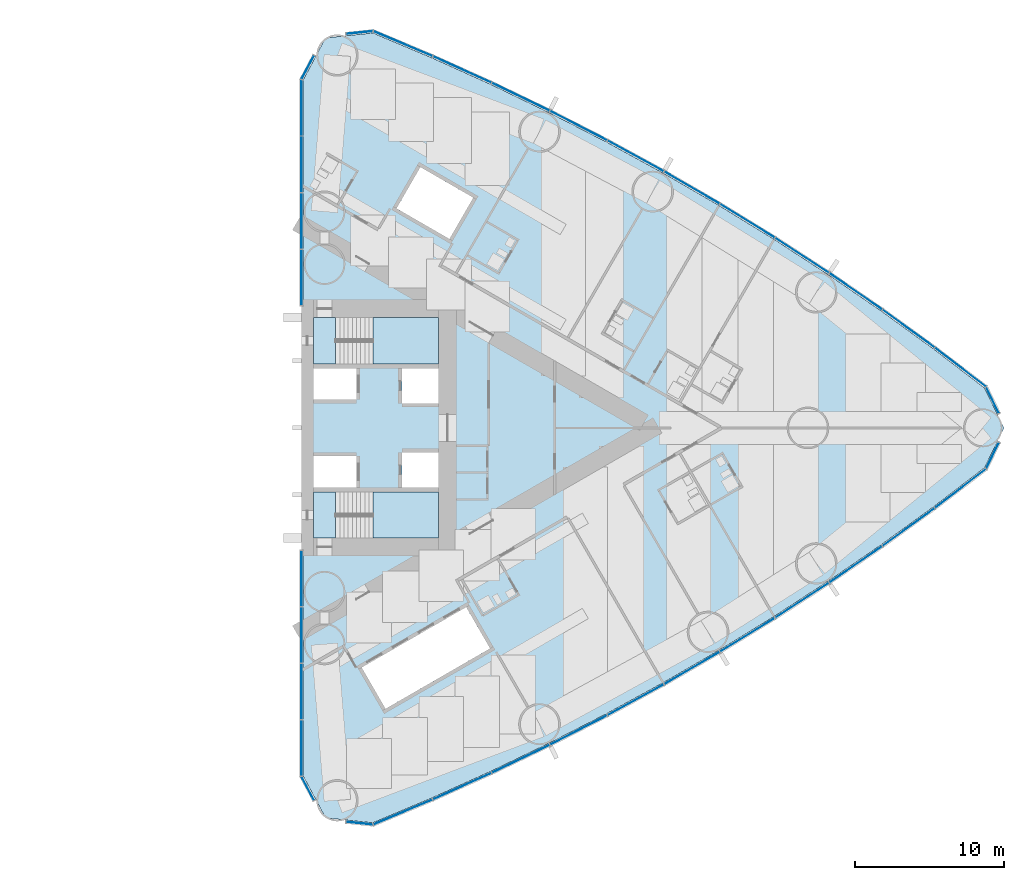
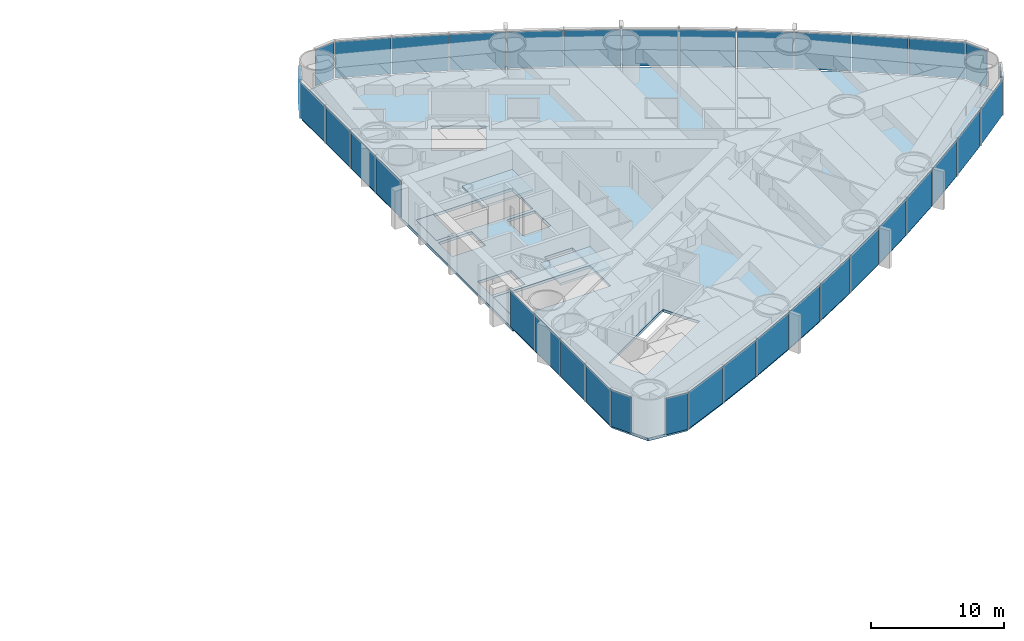
# One storey, part 10 of 19: 36 plates, 5 slabs, 6 elements without a shape of their own.
"""IFC4 building model written with IfcOpenShell, lengths in metres."""

import ifcopenshell
import ifcopenshell.guid

model = None  # the IFC model being written
_history = None  # IfcOwnerHistory: only IFC2X3 demands one
_inside = {}  # id of a spatial element -> (the spatial element, [elements in it])
_under = {}  # id of a project, library or spatial element -> (it, [spatial elements below it])
_declared = {}  # id of a project -> (the project, [libraries it declares])
_typed = {}  # id of a type object -> (the type object, [elements of that type])
_made_of = {}  # id of a material, layer set ... -> (it, [elements and type objects made of it])


def new_model(schema):
    """Start an empty IFC model of exactly this schema.

    Asked for "IFC4X3", IfcOpenShell would pick the latest addendum, in which some entities
    have other attributes; the version numbers below select the first issue.
    IFC2X3 requires an IfcOwnerHistory on every rooted entity: one is made here for all.
    """
    global model, _history
    if schema == "IFC4X3":
        model = ifcopenshell.file(schema_version=(4, 3, 0, 0))
    else:
        model = ifcopenshell.file(schema=schema)
    _inside.clear()
    _under.clear()
    _declared.clear()
    _typed.clear()
    _made_of.clear()
    _history = None
    if model.schema == "IFC2X3":
        org = make("IfcOrganization", Name="unknown")
        user = make(
            "IfcPersonAndOrganization",
            ThePerson=make("IfcPerson", FamilyName="unknown"),
            TheOrganization=org,
        )
        app = make(
            "IfcApplication",
            ApplicationDeveloper=org,
            Version="unknown",
            ApplicationFullName="unknown",
            ApplicationIdentifier="unknown",
        )
        _history = make(
            "IfcOwnerHistory",
            OwningUser=user,
            OwningApplication=app,
            ChangeAction="ADDED",
            CreationDate=0,
        )
    return model


def make(cls, **values):
    """One entity of the class cls with the attributes given. An attribute that is None is left unset."""
    return model.create_entity(
        cls, **{name: value for name, value in values.items() if value is not None}
    )


def rooted(cls, **values):
    """An entity with a GlobalId (a new one), such as an element, a storey or a relation."""
    return make(cls, GlobalId=ifcopenshell.guid.new(), OwnerHistory=_history, **values)


def si_unit(unit_type, name, prefix=None):
    """IfcSIUnit, for example si_unit("LENGTHUNIT", "METRE", prefix="MILLI")."""
    return make("IfcSIUnit", UnitType=unit_type, Prefix=prefix, Name=name)


def assignment(units):
    """IfcUnitAssignment: the units of a project."""
    return None if units is None else make("IfcUnitAssignment", Units=units)


def point(xyz):
    """IfcCartesianPoint."""
    return None if xyz is None else make("IfcCartesianPoint", Coordinates=xyz)


def direction(xyz):
    """IfcDirection."""
    return None if xyz is None else make("IfcDirection", DirectionRatios=xyz)


def frame(location, z_axis=None, x_axis=None):
    """IfcAxis2Placement3D, a coordinate frame: its origin and axes. An axis left out is left unset."""
    return make(
        "IfcAxis2Placement3D",
        Location=point(location),
        Axis=direction(z_axis),
        RefDirection=direction(x_axis),
    )


def frame_2d(location, x_axis=None):
    """IfcAxis2Placement2D, a coordinate frame in the plane: its origin and x axis."""
    return make(
        "IfcAxis2Placement2D", Location=point(location), RefDirection=direction(x_axis)
    )


def origin():
    """The frame at (0, 0, 0) with its axes left unset."""
    return frame((0.0, 0.0, 0.0))


def origin_2d():
    """The frame at (0, 0) in the plane with its x axis left unset."""
    return frame_2d((0.0, 0.0))


def place(relative_to, where):
    """IfcLocalPlacement: puts the frame where relative to a parent placement (None: the world)."""
    return make(
        "IfcLocalPlacement", PlacementRelTo=relative_to, RelativePlacement=where
    )


def context(
    kind, dimensions, precision=None, world=None, true_north=None, identifier=None
):
    """IfcGeometricRepresentationContext, for example the 3D "Model" context."""
    return make(
        "IfcGeometricRepresentationContext",
        ContextIdentifier=identifier,
        ContextType=kind,
        CoordinateSpaceDimension=dimensions,
        Precision=precision,
        WorldCoordinateSystem=world,
        TrueNorth=true_north,
    )


def subcontext(parent, identifier, kind, view, scale=None):
    """IfcGeometricRepresentationSubContext, for example "Body" below "Model"."""
    return make(
        "IfcGeometricRepresentationSubContext",
        ContextIdentifier=identifier,
        ContextType=kind,
        ParentContext=parent,
        TargetScale=scale,
        TargetView=view,
    )


def project(units=None, contexts=None):
    """IfcProject with its units and contexts."""
    return rooted(
        "IfcProject",
        Name="project",
        RepresentationContexts=contexts,
        UnitsInContext=assignment(units),
    )


def spatial(cls, under=None, at=None, **own):
    """A site, building, storey or space (cls), placed at a placement, below another one or the project."""
    s = rooted(cls, ObjectPlacement=at, **own)
    if under is not None:
        _under.setdefault(under.id(), (under, []))[1].append(s)
    return s


def polyline(points):
    """IfcPolyline through the points."""
    return make("IfcPolyline", Points=[point(p) for p in points])


def profile(cls, at=None, kind="AREA", **sizes):
    """A parametric profile (cls). Its sizes go by their IFC names, for example OverallWidth=200.0."""
    return make(cls, ProfileType=kind, Position=at, **sizes)


def rectangle(**sizes):
    """IfcRectangleProfileDef."""
    return profile("IfcRectangleProfileDef", **sizes)


def outline(outer, holes=None, kind="AREA"):
    """IfcArbitraryClosedProfileDef: a profile drawn as a closed curve; with holes, ...WithVoids."""
    if holes is None:
        return make("IfcArbitraryClosedProfileDef", ProfileType=kind, OuterCurve=outer)
    return make(
        "IfcArbitraryProfileDefWithVoids",
        ProfileType=kind,
        OuterCurve=outer,
        InnerCurves=holes,
    )


def extrude(swept, where, along, depth):
    """IfcExtrudedAreaSolid: the profile swept, set in the frame where, extruded along a direction by depth."""
    return make(
        "IfcExtrudedAreaSolid",
        SweptArea=swept,
        Position=where,
        ExtrudedDirection=direction(along),
        Depth=depth,
    )


def shape(context_of_items, identifier, shape_type, items):
    """IfcShapeRepresentation: the items that make up one representation, for example the "Body"."""
    return make(
        "IfcShapeRepresentation",
        ContextOfItems=context_of_items,
        RepresentationIdentifier=identifier,
        RepresentationType=shape_type,
        Items=items,
    )


def material(Name=None, Category=None):
    """IfcMaterial."""
    return make("IfcMaterial", Name=Name, Category=Category)


def layer(
    of_material, thickness, ventilated=None, Name=None, Category=None, Priority=None
):
    """IfcMaterialLayer: one layer of a wall or slab, of a material (None: an air gap)."""
    return make(
        "IfcMaterialLayer",
        Material=of_material,
        LayerThickness=thickness,
        IsVentilated=ventilated,
        Name=Name,
        Category=Category,
        Priority=Priority,
    )


def layer_set(layers, Name=None):
    """IfcMaterialLayerSet."""
    return make("IfcMaterialLayerSet", MaterialLayers=layers, LayerSetName=Name)


def made_of(thing, what):
    """Note that an element or type object is made of a material, layer set ...; save() writes the relation."""
    if what is not None:
        _made_of.setdefault(what.id(), (what, []))[1].append(thing)
    return thing


def type_object(cls, material=None, **own):
    """A type object (cls), such as IfcWallType, which elements share."""
    return made_of(rooted(cls, **own), material)


def element(
    cls,
    number,
    at=None,
    inside=None,
    cuts=None,
    type_object=None,
    material=None,
    context=None,
    identifier="Body",
    shape_type=None,
    held_by="IfcProductDefinitionShape",
    body=None,
    shapes=None,
    **own,
):
    """One element of the class cls, such as IfcWall. Its Tag is "e" and its number.

    at: its placement. inside: the storey or other place that contains it. cuts: it is an
    opening in that element (IfcRelVoidsElement). A single representation is given by context,
    identifier, shape_type and body (its items); several are given by shapes. held_by: the class
    of the entity that holds the representations. save() writes the other relations.
    """
    e = rooted(cls, Tag="e%d" % number, ObjectPlacement=at, **own)
    if body is not None:
        shapes = [shape(context, identifier, shape_type, body)]
    if shapes is not None:
        e.Representation = make(held_by, Representations=shapes)
    if inside is not None:
        _inside.setdefault(inside.id(), (inside, []))[1].append(e)
    if cuts is not None:
        rooted(
            "IfcRelVoidsElement", RelatingBuildingElement=cuts, RelatedOpeningElement=e
        )
    if type_object is not None:
        _typed.setdefault(type_object.id(), (type_object, []))[1].append(e)
    return made_of(e, material)


def aggregate(whole, parts):
    """IfcRelAggregates: a whole, such as a stair, and the parts it consists of."""
    return rooted("IfcRelAggregates", RelatingObject=whole, RelatedObjects=parts)


def save(model, path):
    """Write the relations noted so far, then the file.

    IfcRelAggregates (storeys below a building ...), IfcRelContainedInSpatialStructure (elements
    in a storey), IfcRelDefinesByType, IfcRelAssociatesMaterial and IfcRelDeclares: one each for
    every whole, place, type object, material and project.
    """
    for whole, parts in _under.values():
        aggregate(whole, parts)
    for where, things in _inside.values():
        rooted(
            "IfcRelContainedInSpatialStructure",
            RelatedElements=things,
            RelatingStructure=where,
        )
    for kind, things in _typed.values():
        rooted("IfcRelDefinesByType", RelatedObjects=things, RelatingType=kind)
    for what, things in _made_of.values():
        rooted("IfcRelAssociatesMaterial", RelatedObjects=things, RelatingMaterial=what)
    for by, libraries in _declared.values():
        rooted("IfcRelDeclares", RelatingContext=by, RelatedDefinitions=libraries)
    model.write(path)


model = new_model("IFC4")

# Units and contexts
model_context = context("Model", 3, precision=1e-05, world=origin(), true_north=direction((0.0, 1.0)))
body_context = subcontext(model_context, "Body", "Model", "MODEL_VIEW")
ifc_project = project(units=[si_unit("LENGTHUNIT", "METRE"), si_unit("AREAUNIT", "SQUARE_METRE"), si_unit("VOLUMEUNIT", "CUBIC_METRE"), si_unit("PLANEANGLEUNIT", "RADIAN"), si_unit("MASSUNIT", "GRAM", prefix="KILO")], contexts=[model_context])

# Site, building, storey
site_placement = place(None, origin())
site = spatial("IfcSite", under=ifc_project, at=site_placement, CompositionType="ELEMENT")
building_placement = place(site_placement, origin())
building = spatial("IfcBuilding", under=site, at=building_placement, Name="Lancet Gate Hotel", CompositionType="ELEMENT")
storey_placement = place(building_placement, frame((0.0, 0.0, 18.0)))
storey = spatial("IfcBuildingStorey", under=building, at=storey_placement, Name="L03", CompositionType="ELEMENT", Elevation=18.0)

# Slab
ifc_material_1 = material(Name="Concrete C50/60", Category="concrete")
ifc_layer_1 = layer(ifc_material_1, 0.25)
ifc_layer_set_1 = layer_set([ifc_layer_1], Name="Floor slab 250")
slab_type_1 = type_object("IfcSlabType", Name="Floor slab 250", PredefinedType="FLOOR", material=ifc_layer_set_1)
slab_1_placement = place(storey_placement, frame((0.0, 0.0, -0.25)))
element("IfcSlab", 1, at=slab_1_placement, inside=storey, type_object=slab_type_1, Name="T2 L03 floor slab", PredefinedType="FLOOR", context=body_context, shape_type="SweptSolid", body=[
    extrude(outline(polyline([(27.5, -8.60009765625), (27.6201171875, -8.60009765625), (27.6201171875, -23.35498046875), (29.12158203125, -26.175537109375), (32.299072265625, -26.5048828125), (36.26708984375, -24.833740234375), (40.2177734375, -23.050048828125), (44.121826171875, -21.16650390625), (47.9765625, -19.18408203125), (51.77978515625, -17.104248046875), (55.528564453125, -14.92822265625), (59.220947265625, -12.657470703125), (62.854248046875, -10.29345703125), (66.42626953125, -7.837890625), (69.934814453125, -5.292236328125), (73.355712890625, -2.67431640625), (74.65576171875, 0.0), (73.355712890625, 2.67431640625), (69.934814453125, 5.292236328125), (66.42626953125, 7.837890625), (62.854248046875, 10.29345703125), (59.220947265625, 12.657470703125), (55.528564453125, 14.92822265625), (51.77978515625, 17.104248046875), (47.9765625, 19.18408203125), (44.121826171875, 21.16650390625), (40.2177734375, 23.050048828125), (36.26708984375, 24.833740234375), (32.299072265625, 26.5048828125), (29.12158203125, 26.175537109375), (27.6201171875, 23.35498046875), (27.6201171875, 8.60009765625), (27.5, 8.60009765625), (27.5, 8.199951171875), (27.5, -8.199951171875), (27.5, -8.60009765625)]), holes=[polyline([(36.699951171875, -7.39990234375), (36.699951171875, -4.300048828125), (28.300048828125, -4.300048828125), (28.300048828125, -7.39990234375), (36.699951171875, -7.39990234375)]), polyline([(28.300048828125, -4.0), (31.199951171875, -4.0), (31.199951171875, -1.89990234375), (28.300048828125, -1.89990234375), (28.300048828125, -4.0)]), polyline([(34.25, -4.0), (36.699951171875, -4.0), (36.699951171875, -1.64990234375), (34.25, -1.64990234375), (34.25, -4.0)]), polyline([(36.699951171875, 1.64990234375), (36.699951171875, 4.0), (34.25, 4.0), (34.25, 1.64990234375), (36.699951171875, 1.64990234375)]), polyline([(28.300048828125, 1.89990234375), (31.199951171875, 1.89990234375), (31.199951171875, 4.0), (28.300048828125, 4.0), (28.300048828125, 1.89990234375)]), polyline([(28.300048828125, 4.300048828125), (36.699951171875, 4.300048828125), (36.699951171875, 7.39990234375), (28.300048828125, 7.39990234375), (28.300048828125, 4.300048828125)]), polyline([(31.549072265625, -16.0810546875), (33.14892578125, -18.85205078125), (40.1640625, -14.802001953125), (38.56396484375, -12.031005859375), (31.549072265625, -16.0810546875)]), polyline([(33.887939453125, 14.73095703125), (37.43798828125, 12.680908203125), (39.0380859375, 15.451904296875), (35.488037109375, 17.501953125), (33.887939453125, 14.73095703125)])]), origin(), (0.0, 0.0, 1.0), 0.25),
])

# Stair, slabs
ifc_material_2 = material(Name="Exit stair 20 risers 1500")
stair_type = type_object("IfcStairType", Name="Exit stair 20 risers 1500", PredefinedType="HALF_TURN_STAIR", material=ifc_material_2)
stair_1_placement = place(storey_placement, origin())
stair_1 = element("IfcStair", 2, at=stair_1_placement, inside=storey, type_object=stair_type, Name="T2 stair 1 L03", PredefinedType="HALF_TURN_STAIR")
ifc_material_3 = material(Name="Concrete C40/50", Category="concrete")
ifc_layer_2 = layer(ifc_material_3, 0.199951171875)
ifc_layer_set_2 = layer_set([ifc_layer_2], Name="Stair landing 200")
slab_type_2 = type_object("IfcSlabType", Name="Stair landing 200", PredefinedType="LANDING", material=ifc_layer_set_2)
slab_2_placement = place(storey_placement, frame((0.0, 0.0, -0.199951171875)))
slab_2 = element("IfcSlab", 3, at=slab_2_placement, type_object=slab_type_2, Name="ST3 landing 1", PredefinedType="LANDING", context=body_context, shape_type="SweptSolid", body=[
    extrude(outline(polyline([(28.300048828125, -7.39990234375), (29.800048828125, -7.39990234375), (29.800048828125, -4.300048828125), (28.300048828125, -4.300048828125), (28.300048828125, -7.39990234375)])), origin(), (0.0, 0.0, 1.0), 0.199951171875),
])
slab_3_placement = place(storey_placement, frame((0.0, 0.0, 1.550048828125)))
slab_3 = element("IfcSlab", 4, at=slab_3_placement, type_object=slab_type_2, Name="ST3 landing 2", PredefinedType="LANDING", context=body_context, shape_type="SweptSolid", body=[
    extrude(outline(polyline([(32.320068359375, -7.39990234375), (36.699951171875, -7.39990234375), (36.699951171875, -4.300048828125), (32.320068359375, -4.300048828125), (32.320068359375, -7.39990234375)])), origin(), (0.0, 0.0, 1.0), 0.199951171875),
])
aggregate(stair_1, [slab_2, slab_3])

stair_2_placement = place(storey_placement, origin())
stair_2 = element("IfcStair", 5, at=stair_2_placement, inside=storey, type_object=stair_type, Name="T2 stair 2 L03", PredefinedType="HALF_TURN_STAIR")
slab_4_placement = place(storey_placement, frame((0.0, 0.0, -0.199951171875)))
slab_4 = element("IfcSlab", 6, at=slab_4_placement, type_object=slab_type_2, Name="ST4 landing 1", PredefinedType="LANDING", context=body_context, shape_type="SweptSolid", body=[
    extrude(outline(polyline([(28.300048828125, 4.300048828125), (29.800048828125, 4.300048828125), (29.800048828125, 7.39990234375), (28.300048828125, 7.39990234375), (28.300048828125, 4.300048828125)])), origin(), (0.0, 0.0, 1.0), 0.199951171875),
])
slab_5_placement = place(storey_placement, frame((0.0, 0.0, 1.550048828125)))
slab_5 = element("IfcSlab", 7, at=slab_5_placement, type_object=slab_type_2, Name="ST4 landing 2", PredefinedType="LANDING", context=body_context, shape_type="SweptSolid", body=[
    extrude(outline(polyline([(32.320068359375, 4.300048828125), (36.699951171875, 4.300048828125), (36.699951171875, 7.39990234375), (32.320068359375, 7.39990234375), (32.320068359375, 4.300048828125)])), origin(), (0.0, 0.0, 1.0), 0.199951171875),
])
aggregate(stair_2, [slab_4, slab_5])

# Curtain wall, plates
ifc_material_4 = material(Name="Aluminium curtain wall", Category="aluminium")
curtain_wall_type = type_object("IfcCurtainWallType", Name="Tower unitised curtain wall", PredefinedType="USERDEFINED", material=ifc_material_4)
curtain_wall_1_placement = place(storey_placement, origin())
curtain_wall_1 = element("IfcCurtainWall", 8, at=curtain_wall_1_placement, inside=storey, type_object=curtain_wall_type, Name="T2 L03 curtain wall 1", ObjectType="UNITISED CURTAIN WALL", PredefinedType="USERDEFINED")
ifc_material_5 = material(Name="Glass double glazed unit 8-16-6", Category="glass")
ifc_layer_3 = layer(ifc_material_5, 0.030029296875)
ifc_layer_set_3 = layer_set([ifc_layer_3], Name="Vision panel double glazed")
plate_type = type_object("IfcPlateType", Name="Vision panel double glazed", PredefinedType="CURTAIN_PANEL", material=ifc_layer_set_3)
plate_1_placement = place(storey_placement, frame((27.5, -10.09814453125, 0.0), z_axis=(0.0, 0.0, 1.0), x_axis=(0.0, -1.0, 0.0)))
plate_1 = element("IfcPlate", 9, at=plate_1_placement, type_object=plate_type, Name="T2 L03 curtain wall 1 panel 1", PredefinedType="CURTAIN_PANEL", context=body_context, shape_type="SweptSolid", body=[
    extrude(rectangle(XDim=3.731201171875, YDim=0.030029296875, at=origin_2d()), origin(), (0.0, 0.0, 1.0), 3.35009765625),
])
plate_2_placement = place(storey_placement, frame((27.5, -13.894287109375, 0.0), z_axis=(0.0, 0.0, 1.0), x_axis=(0.0, -1.0, 0.0)))
plate_2 = element("IfcPlate", 10, at=plate_2_placement, type_object=plate_type, Name="T2 L03 curtain wall 1 panel 2", PredefinedType="CURTAIN_PANEL", context=body_context, shape_type="SweptSolid", body=[
    extrude(rectangle(XDim=3.731201171875, YDim=0.030029296875, at=origin_2d()), origin(), (0.0, 0.0, 1.0), 3.35009765625),
])
plate_3_placement = place(storey_placement, frame((27.5, -17.6904296875, 0.0), z_axis=(0.0, 0.0, 1.0), x_axis=(0.0, -1.0, 0.0)))
plate_3 = element("IfcPlate", 11, at=plate_3_placement, type_object=plate_type, Name="T2 L03 curtain wall 1 panel 3", PredefinedType="CURTAIN_PANEL", context=body_context, shape_type="SweptSolid", body=[
    extrude(rectangle(XDim=3.731201171875, YDim=0.030029296875, at=origin_2d()), origin(), (0.0, 0.0, 1.0), 3.35009765625),
])
plate_4_placement = place(storey_placement, frame((27.5, -21.48681640625, 0.0), z_axis=(0.0, 0.0, 1.0), x_axis=(0.0, -1.0, 0.0)))
plate_4 = element("IfcPlate", 12, at=plate_4_placement, type_object=plate_type, Name="T2 L03 curtain wall 1 panel 4", PredefinedType="CURTAIN_PANEL", context=body_context, shape_type="SweptSolid", body=[
    extrude(rectangle(XDim=3.731201171875, YDim=0.030029296875, at=origin_2d()), origin(), (0.0, 0.0, 1.0), 3.35009765625),
])
plate_5_placement = place(storey_placement, frame((27.933349609375, -24.19873046875, 0.0), z_axis=(0.0, 0.0, 1.0), x_axis=(0.469897827284, -0.882720811987, 0.0)))
plate_5 = element("IfcPlate", 13, at=plate_5_placement, type_object=plate_type, Name="T2 L03 curtain wall 1 panel 5", PredefinedType="CURTAIN_PANEL", context=body_context, shape_type="SweptSolid", body=[
    extrude(rectangle(XDim=1.779052734375, YDim=0.030029296875, at=origin_2d()), origin(), (0.0, 0.0, 1.0), 3.35009765625),
])
aggregate(curtain_wall_1, [plate_1, plate_2, plate_3, plate_4, plate_5])

curtain_wall_2_placement = place(storey_placement, origin())
curtain_wall_2 = element("IfcCurtainWall", 14, at=curtain_wall_2_placement, inside=storey, type_object=curtain_wall_type, Name="T2 L03 curtain wall 2", ObjectType="UNITISED CURTAIN WALL", PredefinedType="USERDEFINED")
plate_6_placement = place(storey_placement, frame((31.400634765625, -26.532470703125, 0.0), z_axis=(0.0, 0.0, 1.0), x_axis=(0.994672262412, -0.10308778001, 0.0)))
plate_6 = element("IfcPlate", 15, at=plate_6_placement, type_object=plate_type, Name="T2 L03 curtain wall 2 panel 1", PredefinedType="CURTAIN_PANEL", context=body_context, shape_type="SweptSolid", body=[
    extrude(rectangle(XDim=1.7783203125, YDim=0.030029296875, at=origin_2d()), origin(), (0.0, 0.0, 1.0), 3.35009765625),
])
plate_7_placement = place(storey_placement, frame((34.316162109375, -25.78564453125, 0.0), z_axis=(0.0, 0.0, 1.0), x_axis=(0.92159330598, 0.38815689917, 0.0)))
plate_7 = element("IfcPlate", 16, at=plate_7_placement, type_object=plate_type, Name="T2 L03 curtain wall 2 panel 2", PredefinedType="CURTAIN_PANEL", context=body_context, shape_type="SweptSolid", body=[
    extrude(rectangle(XDim=4.272705078125, YDim=0.030029296875, at=origin_2d()), origin(), (0.0, 0.0, 1.0), 3.35009765625),
])
plate_8_placement = place(storey_placement, frame((38.291748046875, -24.05126953125, 0.0), z_axis=(0.0, 0.0, 1.0), x_axis=(0.911415640556, 0.41148697446, 0.0)))
plate_8 = element("IfcPlate", 17, at=plate_8_placement, type_object=plate_type, Name="T2 L03 curtain wall 2 panel 3", PredefinedType="CURTAIN_PANEL", context=body_context, shape_type="SweptSolid", body=[
    extrude(rectangle(XDim=4.272705078125, YDim=0.030029296875, at=origin_2d()), origin(), (0.0, 0.0, 1.0), 3.35009765625),
])
plate_9_placement = place(storey_placement, frame((42.221923828125, -22.21630859375, 0.0), z_axis=(0.0, 0.0, 1.0), x_axis=(0.90064748964, 0.434550456686, 0.0)))
plate_9 = element("IfcPlate", 18, at=plate_9_placement, type_object=plate_type, Name="T2 L03 curtain wall 2 panel 4", PredefinedType="CURTAIN_PANEL", context=body_context, shape_type="SweptSolid", body=[
    extrude(rectangle(XDim=4.272705078125, YDim=0.030029296875, at=origin_2d()), origin(), (0.0, 0.0, 1.0), 3.35009765625),
])
plate_10_placement = place(storey_placement, frame((46.10400390625, -20.281982421875, 0.0), z_axis=(0.0, 0.0, 1.0), x_axis=(0.889295829671, 0.457332403541, 0.0)))
plate_10 = element("IfcPlate", 19, at=plate_10_placement, type_object=plate_type, Name="T2 L03 curtain wall 2 panel 5", PredefinedType="CURTAIN_PANEL", context=body_context, shape_type="SweptSolid", body=[
    extrude(rectangle(XDim=4.272705078125, YDim=0.030029296875, at=origin_2d()), origin(), (0.0, 0.0, 1.0), 3.35009765625),
])
plate_11_placement = place(storey_placement, frame((49.935791015625, -18.249267578125, 0.0), z_axis=(0.0, 0.0, 1.0), x_axis=(0.877368015134, 0.47981805512, 0.0)))
plate_11 = element("IfcPlate", 20, at=plate_11_placement, type_object=plate_type, Name="T2 L03 curtain wall 2 panel 6", PredefinedType="CURTAIN_PANEL", context=body_context, shape_type="SweptSolid", body=[
    extrude(rectangle(XDim=4.272705078125, YDim=0.030029296875, at=origin_2d()), origin(), (0.0, 0.0, 1.0), 3.35009765625),
])
plate_12_placement = place(storey_placement, frame((53.71435546875, -16.119873046875, 0.0), z_axis=(0.0, 0.0, 1.0), x_axis=(0.864871773788, 0.501992843479, 0.0)))
plate_12 = element("IfcPlate", 21, at=plate_12_placement, type_object=plate_type, Name="T2 L03 curtain wall 2 panel 7", PredefinedType="CURTAIN_PANEL", context=body_context, shape_type="SweptSolid", body=[
    extrude(rectangle(XDim=4.272705078125, YDim=0.030029296875, at=origin_2d()), origin(), (0.0, 0.0, 1.0), 3.35009765625),
])
plate_13_placement = place(storey_placement, frame((57.437744140625, -13.89501953125, 0.0), z_axis=(0.0, 0.0, 1.0), x_axis=(0.851815201664, 0.523842402077, 0.0)))
plate_13 = element("IfcPlate", 22, at=plate_13_placement, type_object=plate_type, Name="T2 L03 curtain wall 2 panel 8", PredefinedType="CURTAIN_PANEL", context=body_context, shape_type="SweptSolid", body=[
    extrude(rectangle(XDim=4.272705078125, YDim=0.030029296875, at=origin_2d()), origin(), (0.0, 0.0, 1.0), 3.35009765625),
])
plate_14_placement = place(storey_placement, frame((61.10302734375, -11.576171875, 0.0), z_axis=(0.0, 0.0, 1.0), x_axis=(0.838206757819, 0.54535257508, 0.0)))
plate_14 = element("IfcPlate", 23, at=plate_14_placement, type_object=plate_type, Name="T2 L03 curtain wall 2 panel 9", PredefinedType="CURTAIN_PANEL", context=body_context, shape_type="SweptSolid", body=[
    extrude(rectangle(XDim=4.272705078125, YDim=0.030029296875, at=origin_2d()), origin(), (0.0, 0.0, 1.0), 3.35009765625),
])
plate_15_placement = place(storey_placement, frame((64.708251953125, -9.16455078125, 0.0), z_axis=(0.0, 0.0, 1.0), x_axis=(0.824055258853, 0.566509426538, 0.0)))
plate_15 = element("IfcPlate", 24, at=plate_15_placement, type_object=plate_type, Name="T2 L03 curtain wall 2 panel 10", PredefinedType="CURTAIN_PANEL", context=body_context, shape_type="SweptSolid", body=[
    extrude(rectangle(XDim=4.272705078125, YDim=0.030029296875, at=origin_2d()), origin(), (0.0, 0.0, 1.0), 3.35009765625),
])
plate_16_placement = place(storey_placement, frame((68.2509765625, -6.662109375, 0.0), z_axis=(0.0, 0.0, 1.0), x_axis=(0.809369873203, 0.587299249405, 0.0)))
plate_16 = element("IfcPlate", 25, at=plate_16_placement, type_object=plate_type, Name="T2 L03 curtain wall 2 panel 11", PredefinedType="CURTAIN_PANEL", context=body_context, shape_type="SweptSolid", body=[
    extrude(rectangle(XDim=4.272705078125, YDim=0.030029296875, at=origin_2d()), origin(), (0.0, 0.0, 1.0), 3.35009765625),
])
plate_17_placement = place(storey_placement, frame((71.72900390625, -4.0703125, 0.0), z_axis=(0.0, 0.0, 1.0), x_axis=(0.794160115195, 0.607708574428, 0.0)))
plate_17 = element("IfcPlate", 26, at=plate_17_placement, type_object=plate_type, Name="T2 L03 curtain wall 2 panel 12", PredefinedType="CURTAIN_PANEL", context=body_context, shape_type="SweptSolid", body=[
    extrude(rectangle(XDim=4.272705078125, YDim=0.030029296875, at=origin_2d()), origin(), (0.0, 0.0, 1.0), 3.35009765625),
])
plate_18_placement = place(storey_placement, frame((73.88671875, -1.856201171875, 0.0), z_axis=(0.0, 0.0, 1.0), x_axis=(0.437169070119, 0.899379343843, 0.0)))
plate_18 = element("IfcPlate", 27, at=plate_18_placement, type_object=plate_type, Name="T2 L03 curtain wall 2 panel 13", PredefinedType="CURTAIN_PANEL", context=body_context, shape_type="SweptSolid", body=[
    extrude(rectangle(XDim=1.92724609375, YDim=0.030029296875, at=origin_2d()), origin(), (0.0, 0.0, 1.0), 3.35009765625),
])
aggregate(curtain_wall_2, [plate_6, plate_7, plate_8, plate_9, plate_10, plate_11, plate_12, plate_13, plate_14, plate_15, plate_16, plate_17, plate_18])

curtain_wall_3_placement = place(storey_placement, origin())
curtain_wall_3 = element("IfcCurtainWall", 28, at=curtain_wall_3_placement, inside=storey, type_object=curtain_wall_type, Name="T2 L03 curtain wall 3", ObjectType="UNITISED CURTAIN WALL", PredefinedType="USERDEFINED")
plate_19_placement = place(storey_placement, frame((73.88671875, 1.856201171875, 0.0), z_axis=(0.0, 0.0, 1.0), x_axis=(-0.437169070119, 0.899379343843, 0.0)))
plate_19 = element("IfcPlate", 29, at=plate_19_placement, type_object=plate_type, Name="T2 L03 curtain wall 3 panel 1", PredefinedType="CURTAIN_PANEL", context=body_context, shape_type="SweptSolid", body=[
    extrude(rectangle(XDim=1.92724609375, YDim=0.030029296875, at=origin_2d()), origin(), (0.0, 0.0, 1.0), 3.35009765625),
])
plate_20_placement = place(storey_placement, frame((71.72900390625, 4.0703125, 0.0), z_axis=(0.0, 0.0, 1.0), x_axis=(-0.794160115195, 0.607708574428, 0.0)))
plate_20 = element("IfcPlate", 30, at=plate_20_placement, type_object=plate_type, Name="T2 L03 curtain wall 3 panel 2", PredefinedType="CURTAIN_PANEL", context=body_context, shape_type="SweptSolid", body=[
    extrude(rectangle(XDim=4.272705078125, YDim=0.030029296875, at=origin_2d()), origin(), (0.0, 0.0, 1.0), 3.35009765625),
])
plate_21_placement = place(storey_placement, frame((68.2509765625, 6.662109375, 0.0), z_axis=(0.0, 0.0, 1.0), x_axis=(-0.809369873203, 0.587299249405, 0.0)))
plate_21 = element("IfcPlate", 31, at=plate_21_placement, type_object=plate_type, Name="T2 L03 curtain wall 3 panel 3", PredefinedType="CURTAIN_PANEL", context=body_context, shape_type="SweptSolid", body=[
    extrude(rectangle(XDim=4.272705078125, YDim=0.030029296875, at=origin_2d()), origin(), (0.0, 0.0, 1.0), 3.35009765625),
])
plate_22_placement = place(storey_placement, frame((64.708251953125, 9.16455078125, 0.0), z_axis=(0.0, 0.0, 1.0), x_axis=(-0.824055258853, 0.566509426538, 0.0)))
plate_22 = element("IfcPlate", 32, at=plate_22_placement, type_object=plate_type, Name="T2 L03 curtain wall 3 panel 4", PredefinedType="CURTAIN_PANEL", context=body_context, shape_type="SweptSolid", body=[
    extrude(rectangle(XDim=4.272705078125, YDim=0.030029296875, at=origin_2d()), origin(), (0.0, 0.0, 1.0), 3.35009765625),
])
plate_23_placement = place(storey_placement, frame((61.10302734375, 11.576171875, 0.0), z_axis=(0.0, 0.0, 1.0), x_axis=(-0.838206757819, 0.54535257508, 0.0)))
plate_23 = element("IfcPlate", 33, at=plate_23_placement, type_object=plate_type, Name="T2 L03 curtain wall 3 panel 5", PredefinedType="CURTAIN_PANEL", context=body_context, shape_type="SweptSolid", body=[
    extrude(rectangle(XDim=4.272705078125, YDim=0.030029296875, at=origin_2d()), origin(), (0.0, 0.0, 1.0), 3.35009765625),
])
plate_24_placement = place(storey_placement, frame((57.437744140625, 13.89501953125, 0.0), z_axis=(0.0, 0.0, 1.0), x_axis=(-0.851815201664, 0.523842402077, 0.0)))
plate_24 = element("IfcPlate", 34, at=plate_24_placement, type_object=plate_type, Name="T2 L03 curtain wall 3 panel 6", PredefinedType="CURTAIN_PANEL", context=body_context, shape_type="SweptSolid", body=[
    extrude(rectangle(XDim=4.272705078125, YDim=0.030029296875, at=origin_2d()), origin(), (0.0, 0.0, 1.0), 3.35009765625),
])
plate_25_placement = place(storey_placement, frame((53.71435546875, 16.119873046875, 0.0), z_axis=(0.0, 0.0, 1.0), x_axis=(-0.864871773788, 0.501992843479, 0.0)))
plate_25 = element("IfcPlate", 35, at=plate_25_placement, type_object=plate_type, Name="T2 L03 curtain wall 3 panel 7", PredefinedType="CURTAIN_PANEL", context=body_context, shape_type="SweptSolid", body=[
    extrude(rectangle(XDim=4.272705078125, YDim=0.030029296875, at=origin_2d()), origin(), (0.0, 0.0, 1.0), 3.35009765625),
])
plate_26_placement = place(storey_placement, frame((49.935791015625, 18.249267578125, 0.0), z_axis=(0.0, 0.0, 1.0), x_axis=(-0.877368015134, 0.47981805512, 0.0)))
plate_26 = element("IfcPlate", 36, at=plate_26_placement, type_object=plate_type, Name="T2 L03 curtain wall 3 panel 8", PredefinedType="CURTAIN_PANEL", context=body_context, shape_type="SweptSolid", body=[
    extrude(rectangle(XDim=4.272705078125, YDim=0.030029296875, at=origin_2d()), origin(), (0.0, 0.0, 1.0), 3.35009765625),
])
plate_27_placement = place(storey_placement, frame((46.10400390625, 20.281982421875, 0.0), z_axis=(0.0, 0.0, 1.0), x_axis=(-0.889295829671, 0.457332403541, 0.0)))
plate_27 = element("IfcPlate", 37, at=plate_27_placement, type_object=plate_type, Name="T2 L03 curtain wall 3 panel 9", PredefinedType="CURTAIN_PANEL", context=body_context, shape_type="SweptSolid", body=[
    extrude(rectangle(XDim=4.272705078125, YDim=0.030029296875, at=origin_2d()), origin(), (0.0, 0.0, 1.0), 3.35009765625),
])
plate_28_placement = place(storey_placement, frame((42.221923828125, 22.21630859375, 0.0), z_axis=(0.0, 0.0, 1.0), x_axis=(-0.90064748964, 0.434550456686, 0.0)))
plate_28 = element("IfcPlate", 38, at=plate_28_placement, type_object=plate_type, Name="T2 L03 curtain wall 3 panel 10", PredefinedType="CURTAIN_PANEL", context=body_context, shape_type="SweptSolid", body=[
    extrude(rectangle(XDim=4.272705078125, YDim=0.030029296875, at=origin_2d()), origin(), (0.0, 0.0, 1.0), 3.35009765625),
])
plate_29_placement = place(storey_placement, frame((38.291748046875, 24.05126953125, 0.0), z_axis=(0.0, 0.0, 1.0), x_axis=(-0.911415640556, 0.41148697446, 0.0)))
plate_29 = element("IfcPlate", 39, at=plate_29_placement, type_object=plate_type, Name="T2 L03 curtain wall 3 panel 11", PredefinedType="CURTAIN_PANEL", context=body_context, shape_type="SweptSolid", body=[
    extrude(rectangle(XDim=4.272705078125, YDim=0.030029296875, at=origin_2d()), origin(), (0.0, 0.0, 1.0), 3.35009765625),
])
plate_30_placement = place(storey_placement, frame((34.316162109375, 25.78564453125, 0.0), z_axis=(0.0, 0.0, 1.0), x_axis=(-0.92159330598, 0.38815689917, 0.0)))
plate_30 = element("IfcPlate", 40, at=plate_30_placement, type_object=plate_type, Name="T2 L03 curtain wall 3 panel 12", PredefinedType="CURTAIN_PANEL", context=body_context, shape_type="SweptSolid", body=[
    extrude(rectangle(XDim=4.272705078125, YDim=0.030029296875, at=origin_2d()), origin(), (0.0, 0.0, 1.0), 3.35009765625),
])
plate_31_placement = place(storey_placement, frame((31.400634765625, 26.532470703125, 0.0), z_axis=(0.0, 0.0, 1.0), x_axis=(-0.994672262412, -0.10308778001, 0.0)))
plate_31 = element("IfcPlate", 41, at=plate_31_placement, type_object=plate_type, Name="T2 L03 curtain wall 3 panel 13", PredefinedType="CURTAIN_PANEL", context=body_context, shape_type="SweptSolid", body=[
    extrude(rectangle(XDim=1.7783203125, YDim=0.030029296875, at=origin_2d()), origin(), (0.0, 0.0, 1.0), 3.35009765625),
])
aggregate(curtain_wall_3, [plate_19, plate_20, plate_21, plate_22, plate_23, plate_24, plate_25, plate_26, plate_27, plate_28, plate_29, plate_30, plate_31])

curtain_wall_4_placement = place(storey_placement, origin())
curtain_wall_4 = element("IfcCurtainWall", 42, at=curtain_wall_4_placement, inside=storey, type_object=curtain_wall_type, Name="T2 L03 curtain wall 4", ObjectType="UNITISED CURTAIN WALL", PredefinedType="USERDEFINED")
plate_32_placement = place(storey_placement, frame((27.933349609375, 24.19873046875, 0.0), z_axis=(0.0, 0.0, 1.0), x_axis=(-0.469897827284, -0.882720811987, 0.0)))
plate_32 = element("IfcPlate", 43, at=plate_32_placement, type_object=plate_type, Name="T2 L03 curtain wall 4 panel 1", PredefinedType="CURTAIN_PANEL", context=body_context, shape_type="SweptSolid", body=[
    extrude(rectangle(XDim=1.779052734375, YDim=0.030029296875, at=origin_2d()), origin(), (0.0, 0.0, 1.0), 3.35009765625),
])
plate_33_placement = place(storey_placement, frame((27.5, 21.48681640625, 0.0), z_axis=(0.0, 0.0, 1.0), x_axis=(0.0, -1.0, 0.0)))
plate_33 = element("IfcPlate", 44, at=plate_33_placement, type_object=plate_type, Name="T2 L03 curtain wall 4 panel 2", PredefinedType="CURTAIN_PANEL", context=body_context, shape_type="SweptSolid", body=[
    extrude(rectangle(XDim=3.731201171875, YDim=0.030029296875, at=origin_2d()), origin(), (0.0, 0.0, 1.0), 3.35009765625),
])
plate_34_placement = place(storey_placement, frame((27.5, 17.6904296875, 0.0), z_axis=(0.0, 0.0, 1.0), x_axis=(0.0, -1.0, 0.0)))
plate_34 = element("IfcPlate", 45, at=plate_34_placement, type_object=plate_type, Name="T2 L03 curtain wall 4 panel 3", PredefinedType="CURTAIN_PANEL", context=body_context, shape_type="SweptSolid", body=[
    extrude(rectangle(XDim=3.731201171875, YDim=0.030029296875, at=origin_2d()), origin(), (0.0, 0.0, 1.0), 3.35009765625),
])
plate_35_placement = place(storey_placement, frame((27.5, 13.894287109375, 0.0), z_axis=(0.0, 0.0, 1.0), x_axis=(0.0, -1.0, 0.0)))
plate_35 = element("IfcPlate", 46, at=plate_35_placement, type_object=plate_type, Name="T2 L03 curtain wall 4 panel 4", PredefinedType="CURTAIN_PANEL", context=body_context, shape_type="SweptSolid", body=[
    extrude(rectangle(XDim=3.731201171875, YDim=0.030029296875, at=origin_2d()), origin(), (0.0, 0.0, 1.0), 3.35009765625),
])
plate_36_placement = place(storey_placement, frame((27.5, 10.09814453125, 0.0), z_axis=(0.0, 0.0, 1.0), x_axis=(0.0, -1.0, 0.0)))
plate_36 = element("IfcPlate", 47, at=plate_36_placement, type_object=plate_type, Name="T2 L03 curtain wall 4 panel 5", PredefinedType="CURTAIN_PANEL", context=body_context, shape_type="SweptSolid", body=[
    extrude(rectangle(XDim=3.731201171875, YDim=0.030029296875, at=origin_2d()), origin(), (0.0, 0.0, 1.0), 3.35009765625),
])
aggregate(curtain_wall_4, [plate_32, plate_33, plate_34, plate_35, plate_36])

save(model, "model.ifc")
